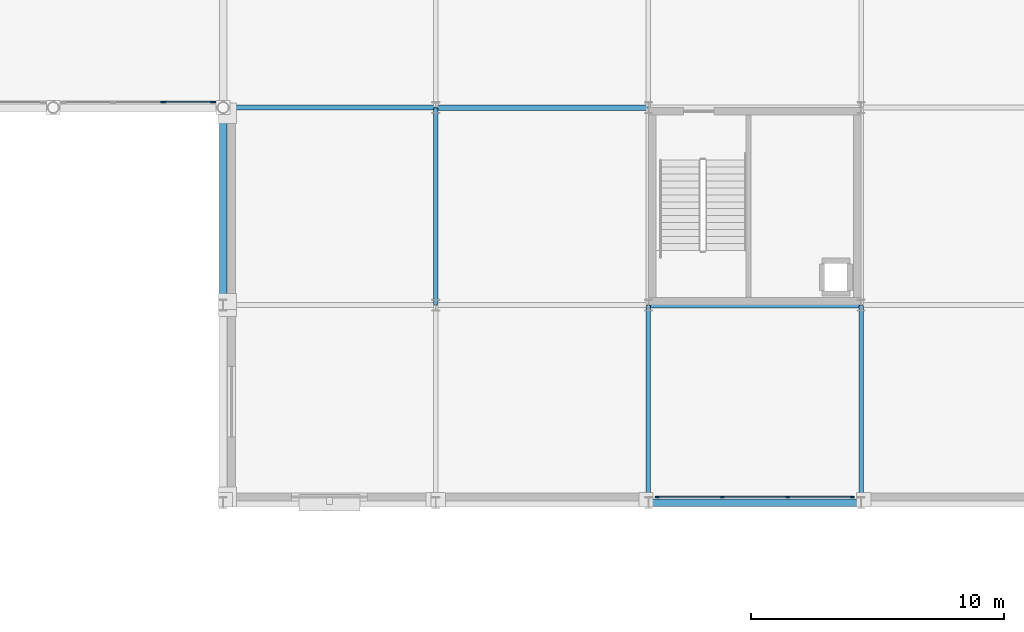
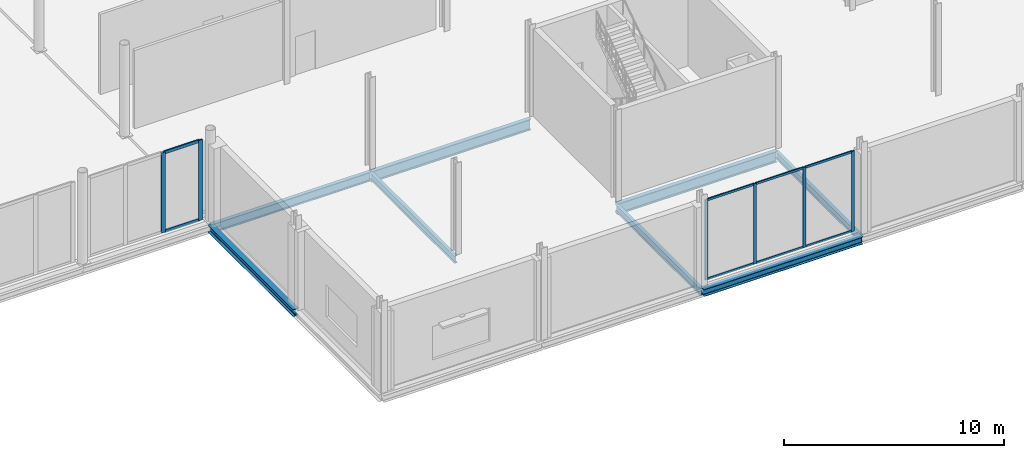
# One storey, part 53 of 105: 14 members, 8 beams, 2 elements without a shape of their own.
"""IFC4 building model written with IfcOpenShell, lengths in metres."""

from ifc_helpers import new_model, si_unit, direction, frame, origin, origin_2d, place, context, subcontext, project, spatial, rectangle, i_section, extrude, material, material_profile, profile_set, type_object, element, aggregate, save


model = new_model("IFC4")

# Units and contexts
model_context = context("Model", 3, precision=1e-05, world=origin(), true_north=direction((0.0, 1.0)))
body_context = subcontext(model_context, "Body", "Model", "MODEL_VIEW")
ifc_project = project(units=[si_unit("LENGTHUNIT", "METRE"), si_unit("AREAUNIT", "SQUARE_METRE"), si_unit("VOLUMEUNIT", "CUBIC_METRE"), si_unit("PLANEANGLEUNIT", "RADIAN"), si_unit("MASSUNIT", "GRAM", prefix="KILO")], contexts=[model_context])

# Site, building, storey
site_placement = place(None, origin())
site = spatial("IfcSite", under=ifc_project, at=site_placement, CompositionType="ELEMENT")
building_placement = place(site_placement, origin())
building = spatial("IfcBuilding", under=site, at=building_placement, Name="Nabrawat Pavilion Hospital", CompositionType="ELEMENT")
storey_placement = place(building_placement, frame((0.0, 0.0, 5.10009765625)))
storey = spatial("IfcBuildingStorey", under=building, at=storey_placement, Name="L01", CompositionType="ELEMENT", Elevation=5.10009765625)

# Curtain wall, members
ifc_material_1 = material(Name="Anodised Aluminium", Category="aluminium")
curtain_wall_type_1 = type_object("IfcCurtainWallType", Name="Main Hall Pavilion Unitised Curtain Wall", PredefinedType="USERDEFINED", material=ifc_material_1)
curtain_wall_1_placement = place(storey_placement, origin())
curtain_wall_1 = element("IfcCurtainWall", 1, at=curtain_wall_1_placement, inside=storey, type_object=curtain_wall_type_1, Name="L01 Main Hall Pavilion Unitised Curtain Wall 042", ObjectType="CURTAIN WALL", PredefinedType="USERDEFINED")
ifc_material_profile_1 = material_profile(ifc_material_1, rectangle(XDim=0.074951171875, YDim=0.219970703125, at=origin_2d()), Name="CWM 75x220")
ifc_profile_set_1 = profile_set([ifc_material_profile_1], Name="Anodised Aluminium")
member_type_1 = type_object("IfcMemberType", Name="Main Hall Pavilion Unitised Curtain Wall Mullion CWM 75x220", PredefinedType="MULLION", material=ifc_profile_set_1)
member_1_placement = place(storey_placement, frame((123.64111328125, 15.820068359375, 0.0), z_axis=(0.0, 0.0, 1.0), x_axis=(0.0, 1.0, 0.0)))
member_1 = element("IfcMember", 2, at=member_1_placement, type_object=member_type_1, Name="CW-MH-01 mullion 3", PredefinedType="MULLION", context=body_context, shape_type="SweptSolid", body=[
    extrude(rectangle(XDim=0.074951171875, YDim=0.219970703125, at=origin_2d()), origin(), (0.0, 0.0, 1.0), 4.449951171875),
])
member_2_placement = place(storey_placement, frame((125.593994140625, 15.820068359375, 0.0), z_axis=(0.0, 0.0, 1.0), x_axis=(0.0, 1.0, 0.0)))
member_2 = element("IfcMember", 3, at=member_2_placement, type_object=member_type_1, Name="CW-MH-01 mullion 4", PredefinedType="MULLION", context=body_context, shape_type="SweptSolid", body=[
    extrude(rectangle(XDim=0.074951171875, YDim=0.219970703125, at=origin_2d()), origin(), (0.0, 0.0, 1.0), 4.449951171875),
])
ifc_material_profile_2 = material_profile(ifc_material_1, rectangle(XDim=0.074951171875, YDim=0.1650390625, at=origin_2d()), Name="CWT 75x165")
ifc_profile_set_2 = profile_set([ifc_material_profile_2], Name="Anodised Aluminium")
member_type_2 = type_object("IfcMemberType", Name="Main Hall Pavilion Unitised Curtain Wall Transom CWT 75x165", PredefinedType="USERDEFINED", material=ifc_profile_set_2)
member_3_placement = place(storey_placement, frame((123.6787109375, 15.820068359375, 0.037353515625), z_axis=(1.0, 0.0, 0.0), x_axis=(0.0, 1.0, 0.0)))
member_3 = element("IfcMember", 4, at=member_3_placement, type_object=member_type_2, Name="CW-MH-01 transom 3.1", ObjectType="TRANSOM", PredefinedType="USERDEFINED", context=body_context, shape_type="SweptSolid", body=[
    extrude(rectangle(XDim=0.074951171875, YDim=0.1650390625, at=origin_2d()), origin(), (0.0, 0.0, 1.0), 1.877685546875),
])
member_4_placement = place(storey_placement, frame((123.6787109375, 15.820068359375, 4.412353515625), z_axis=(1.0, 0.0, 0.0), x_axis=(0.0, 1.0, 0.0)))
member_4 = element("IfcMember", 5, at=member_4_placement, type_object=member_type_2, Name="CW-MH-01 transom 3.2", ObjectType="TRANSOM", PredefinedType="USERDEFINED", context=body_context, shape_type="SweptSolid", body=[
    extrude(rectangle(XDim=0.074951171875, YDim=0.1650390625, at=origin_2d()), origin(), (0.0, 0.0, 1.0), 1.877685546875),
])
aggregate(curtain_wall_1, [member_1, member_2, member_3, member_4])

curtain_wall_type_2 = type_object("IfcCurtainWallType", Name="Outpatient Boulevard Curtain Wall", PredefinedType="USERDEFINED", material=ifc_material_1)
curtain_wall_2_placement = place(storey_placement, origin())
curtain_wall_2 = element("IfcCurtainWall", 6, at=curtain_wall_2_placement, inside=storey, type_object=curtain_wall_type_2, Name="L01 Outpatient Boulevard Curtain Wall 085", ObjectType="CURTAIN WALL", PredefinedType="USERDEFINED")
ifc_material_profile_3 = material_profile(ifc_material_1, rectangle(XDim=0.06005859375, YDim=0.159912109375, at=origin_2d()), Name="CWM 60x160")
ifc_profile_set_3 = profile_set([ifc_material_profile_3], Name="Anodised Aluminium")
member_type_3 = type_object("IfcMemberType", Name="Outpatient Boulevard Curtain Wall Mullion CWM 60x160", PredefinedType="MULLION", material=ifc_profile_set_3)
member_5_placement = place(storey_placement, frame((143.14990234375, 0.219970703125, 0.0), z_axis=(0.0, 0.0, 1.0), x_axis=(0.0, 1.0, 0.0)))
member_5 = element("IfcMember", 7, at=member_5_placement, type_object=member_type_3, Name="CW-OPC-01 mullion 1", PredefinedType="MULLION", context=body_context, shape_type="SweptSolid", body=[
    extrude(rectangle(XDim=0.06005859375, YDim=0.159912109375, at=origin_2d()), origin(), (0.0, 0.0, 1.0), 4.449951171875),
])
member_6_placement = place(storey_placement, frame((145.706787109375, 0.219970703125, 0.0), z_axis=(0.0, 0.0, 1.0), x_axis=(0.0, 1.0, 0.0)))
member_6 = element("IfcMember", 8, at=member_6_placement, type_object=member_type_3, Name="CW-OPC-01 mullion 2", PredefinedType="MULLION", context=body_context, shape_type="SweptSolid", body=[
    extrude(rectangle(XDim=0.06005859375, YDim=0.159912109375, at=origin_2d()), origin(), (0.0, 0.0, 1.0), 4.449951171875),
])
member_7_placement = place(storey_placement, frame((148.293212890625, 0.219970703125, 0.0), z_axis=(0.0, 0.0, 1.0), x_axis=(0.0, 1.0, 0.0)))
member_7 = element("IfcMember", 9, at=member_7_placement, type_object=member_type_3, Name="CW-OPC-01 mullion 3", PredefinedType="MULLION", context=body_context, shape_type="SweptSolid", body=[
    extrude(rectangle(XDim=0.06005859375, YDim=0.159912109375, at=origin_2d()), origin(), (0.0, 0.0, 1.0), 4.449951171875),
])
member_8_placement = place(storey_placement, frame((150.85009765625, 0.219970703125, 0.0), z_axis=(0.0, 0.0, 1.0), x_axis=(0.0, 1.0, 0.0)))
member_8 = element("IfcMember", 10, at=member_8_placement, type_object=member_type_3, Name="CW-OPC-01 mullion 4", PredefinedType="MULLION", context=body_context, shape_type="SweptSolid", body=[
    extrude(rectangle(XDim=0.06005859375, YDim=0.159912109375, at=origin_2d()), origin(), (0.0, 0.0, 1.0), 4.449951171875),
])
ifc_material_profile_4 = material_profile(ifc_material_1, rectangle(XDim=0.06005859375, YDim=0.1201171875, at=origin_2d()), Name="CWT 60x120")
ifc_profile_set_4 = profile_set([ifc_material_profile_4], Name="Anodised Aluminium")
member_type_4 = type_object("IfcMemberType", Name="Outpatient Boulevard Curtain Wall Transom CWT 60x120", PredefinedType="USERDEFINED", material=ifc_profile_set_4)
member_9_placement = place(storey_placement, frame((143.179931640625, 0.219970703125, 0.02978515625), z_axis=(1.0, 0.0, 0.0), x_axis=(0.0, 1.0, 0.0)))
member_9 = element("IfcMember", 11, at=member_9_placement, type_object=member_type_4, Name="CW-OPC-01 transom 1.1", ObjectType="TRANSOM", PredefinedType="USERDEFINED", context=body_context, shape_type="SweptSolid", body=[
    extrude(rectangle(XDim=0.06005859375, YDim=0.1201171875, at=origin_2d()), origin(), (0.0, 0.0, 1.0), 2.496826171875),
])
member_10_placement = place(storey_placement, frame((143.179931640625, 0.219970703125, 4.419921875), z_axis=(1.0, 0.0, 0.0), x_axis=(0.0, 1.0, 0.0)))
member_10 = element("IfcMember", 12, at=member_10_placement, type_object=member_type_4, Name="CW-OPC-01 transom 1.2", ObjectType="TRANSOM", PredefinedType="USERDEFINED", context=body_context, shape_type="SweptSolid", body=[
    extrude(rectangle(XDim=0.06005859375, YDim=0.1201171875, at=origin_2d()), origin(), (0.0, 0.0, 1.0), 2.496826171875),
])
member_11_placement = place(storey_placement, frame((145.736572265625, 0.219970703125, 0.02978515625), z_axis=(1.0, 0.0, 0.0), x_axis=(0.0, 1.0, 0.0)))
member_11 = element("IfcMember", 13, at=member_11_placement, type_object=member_type_4, Name="CW-OPC-01 transom 2.1", ObjectType="TRANSOM", PredefinedType="USERDEFINED", context=body_context, shape_type="SweptSolid", body=[
    extrude(rectangle(XDim=0.06005859375, YDim=0.1201171875, at=origin_2d()), origin(), (0.0, 0.0, 1.0), 2.52685546875),
])
member_12_placement = place(storey_placement, frame((145.736572265625, 0.219970703125, 4.419921875), z_axis=(1.0, 0.0, 0.0), x_axis=(0.0, 1.0, 0.0)))
member_12 = element("IfcMember", 14, at=member_12_placement, type_object=member_type_4, Name="CW-OPC-01 transom 2.2", ObjectType="TRANSOM", PredefinedType="USERDEFINED", context=body_context, shape_type="SweptSolid", body=[
    extrude(rectangle(XDim=0.06005859375, YDim=0.1201171875, at=origin_2d()), origin(), (0.0, 0.0, 1.0), 2.52685546875),
])
member_13_placement = place(storey_placement, frame((148.3232421875, 0.219970703125, 0.02978515625), z_axis=(1.0, 0.0, 0.0), x_axis=(0.0, 1.0, 0.0)))
member_13 = element("IfcMember", 15, at=member_13_placement, type_object=member_type_4, Name="CW-OPC-01 transom 3.1", ObjectType="TRANSOM", PredefinedType="USERDEFINED", context=body_context, shape_type="SweptSolid", body=[
    extrude(rectangle(XDim=0.06005859375, YDim=0.1201171875, at=origin_2d()), origin(), (0.0, 0.0, 1.0), 2.496826171875),
])
member_14_placement = place(storey_placement, frame((148.3232421875, 0.219970703125, 4.419921875), z_axis=(1.0, 0.0, 0.0), x_axis=(0.0, 1.0, 0.0)))
member_14 = element("IfcMember", 16, at=member_14_placement, type_object=member_type_4, Name="CW-OPC-01 transom 3.2", ObjectType="TRANSOM", PredefinedType="USERDEFINED", context=body_context, shape_type="SweptSolid", body=[
    extrude(rectangle(XDim=0.06005859375, YDim=0.1201171875, at=origin_2d()), origin(), (0.0, 0.0, 1.0), 2.496826171875),
])
aggregate(curtain_wall_2, [member_5, member_6, member_7, member_8, member_9, member_10, member_11, member_12, member_13, member_14])

# Beams
ifc_material_2 = material(Name="Steel S355", Category="steel")
ifc_material_profile_5 = material_profile(ifc_material_2, i_section(OverallWidth=0.300048828125, OverallDepth=0.389892578125, WebThickness=0.010986328125, FlangeThickness=0.01904296875, FilletRadius=0.027099609375, at=origin_2d()), Name="HEA 400")
ifc_profile_set_5 = profile_set([ifc_material_profile_5], Name="Steel S355")
beam_type_1 = type_object("IfcBeamType", Name="Perimeter Moment Spandrel Beam HEA 400", PredefinedType="SPANDREL", material=ifc_profile_set_5)
beam_1_placement = place(storey_placement, frame((142.820068359375, 0.0, -0.425048828125), z_axis=(1.0, 0.0, 0.0), x_axis=(0.0, 1.0, 0.0)))
element("IfcBeam", 17, at=beam_1_placement, inside=storey, type_object=beam_type_1, Name="L01 Primary X Girder 458", PredefinedType="SPANDREL", context=body_context, shape_type="SweptSolid", body=[
    extrude(i_section(OverallWidth=0.300048828125, OverallDepth=0.389892578125, WebThickness=0.010986328125, FlangeThickness=0.01904296875, FilletRadius=0.027099609375, at=origin_2d()), origin(), (0.0, 0.0, 1.0), 8.35986328125),
])
beam_2_placement = place(storey_placement, frame((126.0, 7.820068359375, -0.425048828125), z_axis=(0.0, 1.0, 0.0), x_axis=(-1.0, 0.0, 0.0)))
element("IfcBeam", 18, at=beam_2_placement, inside=storey, type_object=beam_type_1, Name="L01 Primary Y Beam 799", PredefinedType="SPANDREL", context=body_context, shape_type="SweptSolid", body=[
    extrude(i_section(OverallWidth=0.300048828125, OverallDepth=0.389892578125, WebThickness=0.010986328125, FlangeThickness=0.01904296875, FilletRadius=0.027099609375, at=origin_2d()), origin(), (0.0, 0.0, 1.0), 7.760009765625),
])
ifc_material_profile_6 = material_profile(ifc_material_2, i_section(OverallWidth=0.199951171875, OverallDepth=0.5, WebThickness=0.01025390625, FlangeThickness=0.01611328125, FilletRadius=0.02099609375, at=origin_2d()), Name="IPE 500")
ifc_profile_set_6 = profile_set([ifc_material_profile_6], Name="Steel S355")
beam_type_2 = type_object("IfcBeamType", Name="Standard X Floor Girder IPE 500", PredefinedType="USERDEFINED", material=ifc_profile_set_6)
beam_3_placement = place(storey_placement, frame((126.02001953125, 15.60009765625, -0.47998046875), z_axis=(1.0, 0.0, 0.0), x_axis=(0.0, 1.0, 0.0)))
element("IfcBeam", 19, at=beam_3_placement, inside=storey, type_object=beam_type_2, Name="L01 Primary X Girder 485", ObjectType="GIRDER", PredefinedType="USERDEFINED", context=body_context, shape_type="SweptSolid", body=[
    extrude(i_section(OverallWidth=0.199951171875, OverallDepth=0.5, WebThickness=0.01025390625, FlangeThickness=0.01611328125, FilletRadius=0.02099609375, at=origin_2d()), origin(), (0.0, 0.0, 1.0), 8.35986328125),
])
ifc_material_profile_7 = material_profile(ifc_material_2, i_section(OverallWidth=0.179931640625, OverallDepth=0.39990234375, WebThickness=0.008544921875, FlangeThickness=0.013427734375, FilletRadius=0.02099609375, at=origin_2d()), Name="IPE 400")
ifc_profile_set_7 = profile_set([ifc_material_profile_7], Name="Steel S355")
beam_type_3 = type_object("IfcBeamType", Name="Standard Y Floor Beam IPE 400", PredefinedType="BEAM", material=ifc_profile_set_7)
for number, where, z_axis, x_axis, name in (
    (20, (134.39990234375, 7.820068359375, -0.43017578125), (0.0, 1.0, 0.0), (-1.0, 0.0, 0.0), "L01 Primary Y Beam 815"),
    (21, (142.800048828125, 0.02001953125, -0.43017578125), (0.0, 1.0, 0.0), (-1.0, 0.0, 0.0), "L01 Primary Y Beam 830"),
    (22, (151.199951171875, 0.02001953125, -0.43017578125), (0.0, 1.0, 0.0), (-1.0, 0.0, 0.0), "L01 Primary Y Beam 846"),
):
    element("IfcBeam", number, at=place(storey_placement, frame(where, z_axis=z_axis, x_axis=x_axis)), inside=storey, type_object=beam_type_3, Name=name, PredefinedType="BEAM", context=body_context, shape_type="SweptSolid", body=[
        extrude(i_section(OverallWidth=0.179931640625, OverallDepth=0.39990234375, WebThickness=0.008544921875, FlangeThickness=0.013427734375, FilletRadius=0.02099609375, at=origin_2d()), origin(), (0.0, 0.0, 1.0), 7.760009765625),
    ])
ifc_material_profile_8 = material_profile(ifc_material_2, i_section(OverallWidth=0.219970703125, OverallDepth=0.60009765625, WebThickness=0.011962890625, FlangeThickness=0.01904296875, FilletRadius=0.02392578125, at=origin_2d()), Name="IPE 600")
ifc_profile_set_8 = profile_set([ifc_material_profile_8], Name="Steel S355")
beam_type_4 = type_object("IfcBeamType", Name="Wide-Bay Floor Girder IPE 600", PredefinedType="USERDEFINED", material=ifc_profile_set_8)
beam_4_placement = place(storey_placement, frame((142.820068359375, 7.800048828125, -0.530029296875), z_axis=(1.0, 0.0, 0.0), x_axis=(0.0, 1.0, 0.0)))
element("IfcBeam", 23, at=beam_4_placement, inside=storey, type_object=beam_type_4, Name="L01 Primary X Girder 468", ObjectType="GIRDER", PredefinedType="USERDEFINED", context=body_context, shape_type="SweptSolid", body=[
    extrude(i_section(OverallWidth=0.219970703125, OverallDepth=0.60009765625, WebThickness=0.011962890625, FlangeThickness=0.01904296875, FilletRadius=0.02392578125, at=origin_2d()), origin(), (0.0, 0.0, 1.0), 8.35986328125),
])
beam_5_placement = place(storey_placement, frame((134.419921875, 15.60009765625, -0.530029296875), z_axis=(1.0, 0.0, 0.0), x_axis=(0.0, 1.0, 0.0)))
element("IfcBeam", 24, at=beam_5_placement, inside=storey, type_object=beam_type_4, Name="L01 Primary X Girder 486", ObjectType="GIRDER", PredefinedType="USERDEFINED", context=body_context, shape_type="SweptSolid", body=[
    extrude(i_section(OverallWidth=0.219970703125, OverallDepth=0.60009765625, WebThickness=0.011962890625, FlangeThickness=0.01904296875, FilletRadius=0.02392578125, at=origin_2d()), origin(), (0.0, 0.0, 1.0), 8.360107421875),
])

save(model, "model.ifc")
